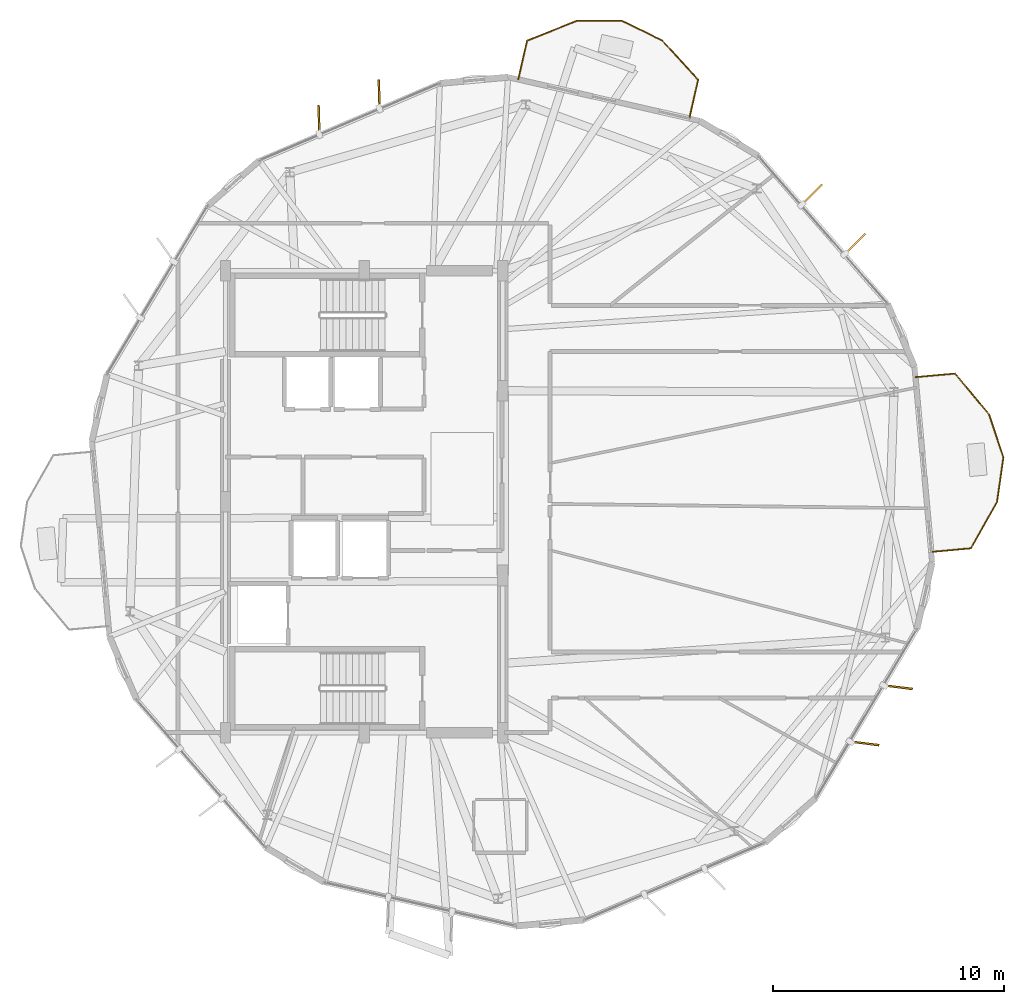
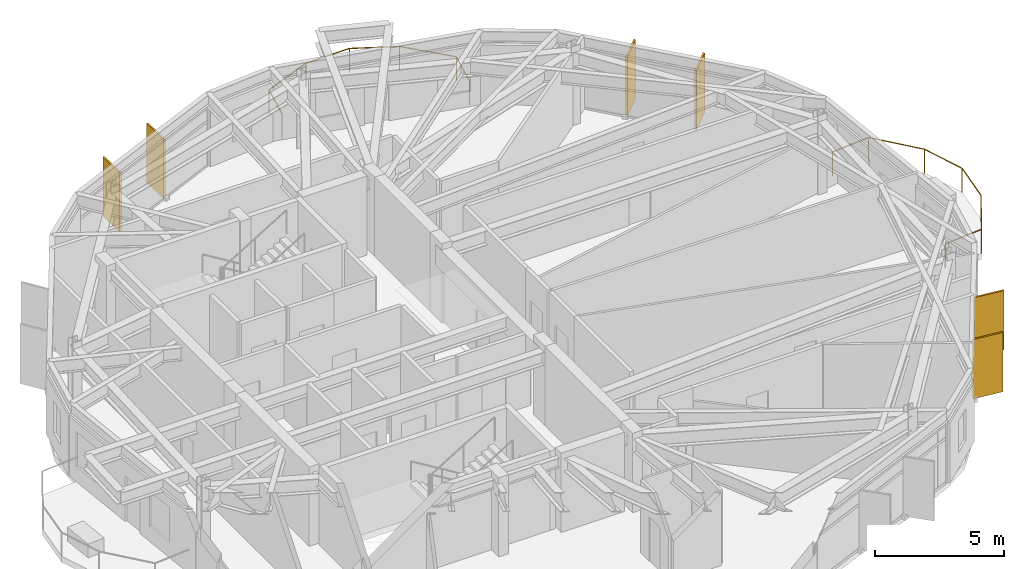
# One storey, part 23 of 23: 6 shading devices, 2 railings.
"""IFC4 building model written with IfcOpenShell, lengths in metres."""

from ifc_helpers import new_model, si_unit, direction, frame, origin, origin_2d, place, context, subcontext, project, spatial, rectangle, circle, extrude, material, layer, layer_set, type_object, element, save


model = new_model("IFC4")

# Units and contexts
model_context = context("Model", 3, precision=1e-05, world=origin(), true_north=direction((0.0, 1.0)))
body_context = subcontext(model_context, "Body", "Model", "MODEL_VIEW")
ifc_project = project(units=[si_unit("LENGTHUNIT", "METRE"), si_unit("AREAUNIT", "SQUARE_METRE"), si_unit("VOLUMEUNIT", "CUBIC_METRE"), si_unit("PLANEANGLEUNIT", "RADIAN"), si_unit("MASSUNIT", "GRAM", prefix="KILO")], contexts=[model_context])

# Site, building, storey
site_placement = place(None, origin())
site = spatial("IfcSite", under=ifc_project, at=site_placement, CompositionType="ELEMENT")
building_placement = place(site_placement, origin())
building = spatial("IfcBuilding", under=site, at=building_placement, Name="Soratama Intermodal Tower", CompositionType="ELEMENT")
storey_placement = place(building_placement, frame((0.0, 0.0, 250.0)))
storey = spatial("IfcBuildingStorey", under=building, at=storey_placement, Name="L63", CompositionType="ELEMENT", Elevation=250.0)

# Railings
ifc_material_1 = material(Name="Laminated glass and stainless steel balustrade", Category="steel")
railing_type = type_object("IfcRailingType", Name="RL-BAL-1150", PredefinedType="BALUSTRADE", material=ifc_material_1)
railing_1_placement = place(storey_placement, frame((62.4658203125, 30.392578125, 0.0)))
element("IfcRailing", 1, at=railing_1_placement, inside=storey, type_object=railing_type, Name="L63 Balcony Balustrade 1", PredefinedType="BALUSTRADE", context=body_context, shape_type="SweptSolid", body=[
    extrude(circle(Radius=0.02392578125, at=origin_2d()), frame((0.0, 0.0, 1.1259765625), z_axis=(0.995954644308, 0.089857367424, 0.0), x_axis=(-0.089857367424, 0.995954644308, 0.0)), (0.0, 0.0, 1.0), 1.7197265625),
    extrude(circle(Radius=0.02392578125, at=origin_2d()), frame((1.712890625, 0.154541015625, 1.1259765625), z_axis=(0.639695301747, -0.768628597519, 0.0), x_axis=(0.768628597519, 0.639695301747, 0.0)), (0.0, 0.0, 1.0), 2.308349609375),
    extrude(circle(Radius=0.02392578125, at=origin_2d()), frame((3.189453125, -1.61962890625, 1.1259765625), z_axis=(0.316490349609, -0.948595729805, 0.0), x_axis=(0.948595729805, 0.316490349609, 0.0)), (0.0, 0.0, 1.0), 1.952392578125),
    extrude(circle(Radius=0.02392578125, at=origin_2d()), frame((3.807373046875, -3.4716796875, 1.1259765625), z_axis=(-0.141561415586, -0.989929475072, 0.0), x_axis=(0.989929475072, -0.141561415586, 0.0)), (0.0, 0.0, 1.0), 1.952392578125),
    extrude(circle(Radius=0.02392578125, at=origin_2d()), frame((3.531005859375, -5.404296875, 1.1259765625), z_axis=(-0.491541322595, -0.870854251974, 0.0), x_axis=(0.870854251974, -0.491541322595, 0.0)), (0.0, 0.0, 1.0), 2.30810546875),
    extrude(circle(Radius=0.02392578125, at=origin_2d()), frame((2.396484375, -7.414306640625, 1.1259765625), z_axis=(-0.995943079965, -0.089985451432, 0.0), x_axis=(0.089985451432, -0.995943079965, 0.0)), (0.0, 0.0, 1.0), 1.72021484375),
    extrude(circle(Radius=0.02099609375, at=origin_2d()), origin(), (0.0, 0.0, 1.0), 1.101806640625),
    extrude(circle(Radius=0.02099609375, at=origin_2d()), frame((1.712890625, 0.154541015625, 0.0)), (0.0, 0.0, 1.0), 1.101806640625),
    extrude(circle(Radius=0.02099609375, at=origin_2d()), frame((3.189453125, -1.61962890625, 0.0)), (0.0, 0.0, 1.0), 1.101806640625),
    extrude(circle(Radius=0.02099609375, at=origin_2d()), frame((3.807373046875, -3.4716796875, 0.0)), (0.0, 0.0, 1.0), 1.101806640625),
    extrude(circle(Radius=0.02099609375, at=origin_2d()), frame((3.531005859375, -5.404296875, 0.0)), (0.0, 0.0, 1.0), 1.101806640625),
    extrude(circle(Radius=0.02099609375, at=origin_2d()), frame((2.396484375, -7.414306640625, 0.0)), (0.0, 0.0, 1.0), 1.101806640625),
    extrude(circle(Radius=0.02099609375, at=origin_2d()), frame((0.683349609375, -7.569091796875, 0.0)), (0.0, 0.0, 1.0), 1.101806640625),
])
railing_2_placement = place(storey_placement, frame((45.2685546875, 43.277099609375, 0.0)))
element("IfcRailing", 2, at=railing_2_placement, inside=storey, type_object=railing_type, Name="L63 Balcony Balustrade 2", PredefinedType="BALUSTRADE", context=body_context, shape_type="SweptSolid", body=[
    extrude(circle(Radius=0.02392578125, at=origin_2d()), frame((0.0, 0.0, 1.1259765625), z_axis=(0.22227748939, 0.974983444839, 0.0), x_axis=(-0.974983444839, 0.22227748939, 0.0)), (0.0, 0.0, 1.0), 1.719970703125),
    extrude(circle(Radius=0.02392578125, at=origin_2d()), frame((0.38232421875, 1.677001953125, 1.1259765625), z_axis=(0.928709916781, 0.370807079858, 0.0), x_axis=(-0.370807079858, 0.928709916781, 0.0)), (0.0, 0.0, 1.0), 2.308349609375),
    extrude(circle(Radius=0.02392578125, at=origin_2d()), frame((2.526123046875, 2.532958984375, 1.1259765625), z_axis=(0.999967969515, 0.008003745629, 0.0), x_axis=(-0.008003745629, 0.999967969515, 0.0)), (0.0, 0.0, 1.0), 1.9521484375),
    extrude(circle(Radius=0.02392578125, at=origin_2d()), frame((4.478271484375, 2.548583984375, 1.1259765625), z_axis=(0.897778214006, -0.440447815814, 0.0), x_axis=(0.440447815814, 0.897778214006, 0.0)), (0.0, 0.0, 1.0), 1.9521484375),
    extrude(circle(Radius=0.02392578125, at=origin_2d()), frame((6.23095703125, 1.688720703125, 1.1259765625), z_axis=(0.676265647305, -0.736657840707, 0.0), x_axis=(0.736657840707, 0.676265647305, 0.0)), (0.0, 0.0, 1.0), 2.308349609375),
    extrude(circle(Radius=0.02392578125, at=origin_2d()), frame((7.7919921875, -0.01171875, 1.1259765625), z_axis=(-0.222142556209, -0.975014197189, 0.0), x_axis=(0.975014197189, -0.222142556209, 0.0)), (0.0, 0.0, 1.0), 1.719970703125),
    extrude(circle(Radius=0.02099609375, at=origin_2d()), origin(), (0.0, 0.0, 1.0), 1.101806640625),
    extrude(circle(Radius=0.02099609375, at=origin_2d()), frame((0.38232421875, 1.677001953125, 0.0)), (0.0, 0.0, 1.0), 1.101806640625),
    extrude(circle(Radius=0.02099609375, at=origin_2d()), frame((2.526123046875, 2.532958984375, 0.0)), (0.0, 0.0, 1.0), 1.101806640625),
    extrude(circle(Radius=0.02099609375, at=origin_2d()), frame((4.478271484375, 2.548583984375, 0.0)), (0.0, 0.0, 1.0), 1.101806640625),
    extrude(circle(Radius=0.02099609375, at=origin_2d()), frame((6.23095703125, 1.688720703125, 0.0)), (0.0, 0.0, 1.0), 1.101806640625),
    extrude(circle(Radius=0.02099609375, at=origin_2d()), frame((7.7919921875, -0.01171875, 0.0)), (0.0, 0.0, 1.0), 1.101806640625),
    extrude(circle(Radius=0.02099609375, at=origin_2d()), frame((7.409912109375, -1.688720703125, 0.0)), (0.0, 0.0, 1.0), 1.101806640625),
])

# Shading devices
ifc_material_2 = material(Name="Champagne anodised aluminium solar fin", Category="aluminium")
ifc_layer = layer(ifc_material_2, 0.080078125)
ifc_layer_set = layer_set([ifc_layer], Name="Champagne anodised aluminium solar fin")
shading_device_type = type_object("IfcShadingDeviceType", Name="SH-FIN-1250", PredefinedType="USERDEFINED", material=ifc_layer_set)
for number, where, z_axis, x_axis, name in (
    (3, (39.250244140625, 42.640869140625, 0.02001953125), (0.0, 0.0, 1.0), (-0.031061863564, 0.999517463895, 0.0), "L63 Solar Fin F02-1"),
    (4, (36.645263671875, 41.5263671875, 0.02001953125), (0.0, 0.0, 1.0), (-0.031061863564, 0.999517463895, 0.0), "L63 Solar Fin F02-2"),
    (5, (60.265380859375, 14.53759765625, 0.02001953125), (0.0, 0.0, 1.0), (0.992245405958, -0.124294224947, 0.0), "L63 Solar Fin F08-1"),
    (6, (61.718017578125, 16.97021484375, 0.02001953125), (0.0, 0.0, 1.0), (0.992245405958, -0.124294224947, 0.0), "L63 Solar Fin F08-2"),
    (7, (59.8505859375, 36.15673828125, 0.02001953125), (0.0, 0.0, 1.0), (0.708216629106, 0.705995188551, 0.0), "L63 Solar Fin F10-1"),
    (8, (57.985595703125, 38.289794921875, 0.02001953125), (0.0, 0.0, 1.0), (0.708216629106, 0.705995188551, 0.0), "L63 Solar Fin F10-2"),
):
    element("IfcShadingDevice", number, at=place(storey_placement, frame(where, z_axis=z_axis, x_axis=x_axis)), inside=storey, type_object=shading_device_type, Name=name, ObjectType="FIN", PredefinedType="USERDEFINED", context=body_context, shape_type="SweptSolid", body=[
        extrude(rectangle(XDim=1.25, YDim=0.080078125, at=origin_2d()), origin(), (0.0, 0.0, 1.0), 2.80908203125),
    ])

save(model, "model.ifc")
